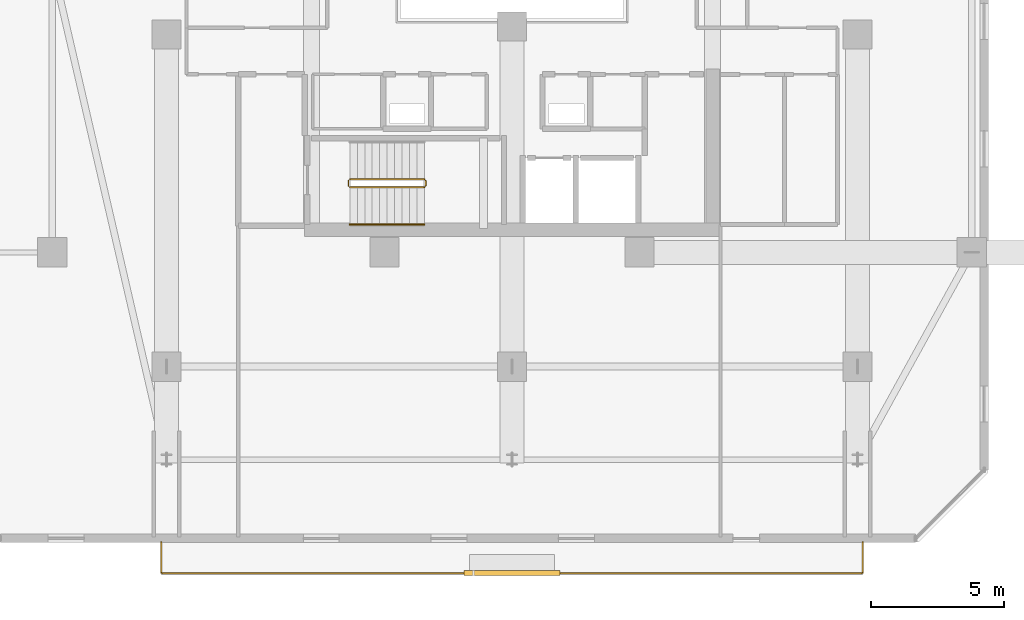
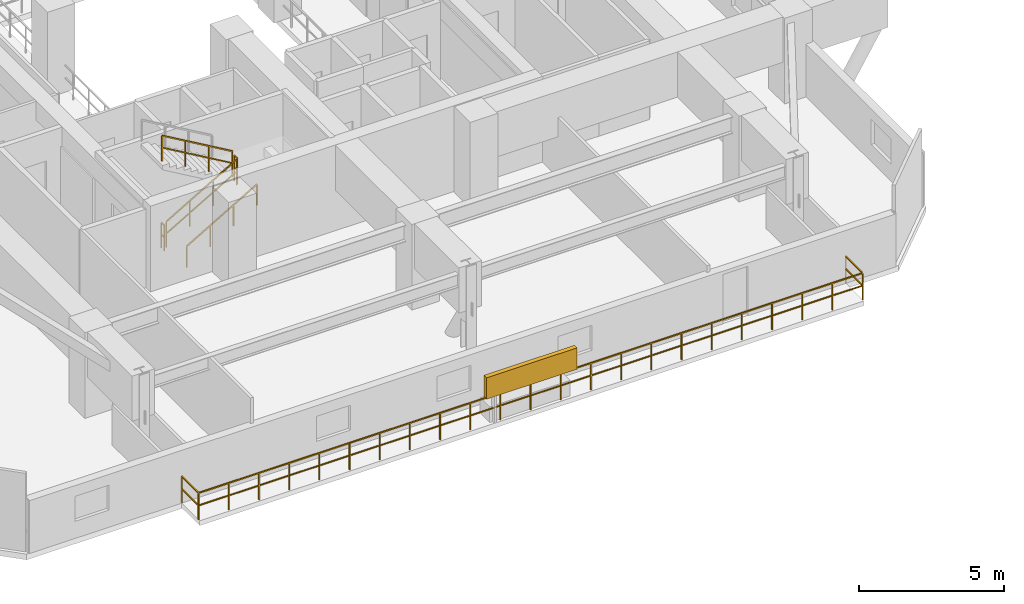
# One storey, part 31 of 35: 6 railings, 1 shading device.
"""IFC4 building model written with IfcOpenShell, lengths in metres."""

from ifc_helpers import new_model, si_unit, direction, frame, origin, origin_2d, place, context, subcontext, project, spatial, rectangle, extrude, material, type_object, element, save


model = new_model("IFC4")

# Units and contexts
model_context = context("Model", 3, precision=1e-05, world=origin(), true_north=direction((0.0, 1.0)))
body_context = subcontext(model_context, "Body", "Model", "MODEL_VIEW")
ifc_project = project(units=[si_unit("LENGTHUNIT", "METRE"), si_unit("AREAUNIT", "SQUARE_METRE"), si_unit("VOLUMEUNIT", "CUBIC_METRE"), si_unit("PLANEANGLEUNIT", "RADIAN"), si_unit("MASSUNIT", "GRAM", prefix="KILO")], contexts=[model_context])

# Site, building, storey
site_placement = place(None, origin())
site = spatial("IfcSite", under=ifc_project, at=site_placement, CompositionType="ELEMENT")
building_placement = place(site_placement, origin())
building = spatial("IfcBuilding", under=site, at=building_placement, Name="Thornwick Lancets Civic Towers", CompositionType="ELEMENT")
storey_placement = place(building_placement, frame((0.0, 0.0, 145.5)))
storey = spatial("IfcBuildingStorey", under=building, at=storey_placement, Name="L38", CompositionType="ELEMENT", Elevation=145.5)

# Railings
ifc_material_1 = material(Name="Brushed stainless steel S355", Category="steel")
railing_type_1 = type_object("IfcRailingType", Name="RAIL_HANDRAIL", PredefinedType="HANDRAIL", material=ifc_material_1)
railing_1_placement = place(storey_placement, frame((19.39990234375, 15.050048828125, 0.16357421875)))
element("IfcRailing", 1, at=railing_1_placement, inside=storey, type_object=railing_type_1, Name="L38 ST-A1 stair handrail 1", PredefinedType="HANDRAIL", context=body_context, shape_type="SweptSolid", body=[
    extrude(rectangle(XDim=0.048095703125, YDim=0.048095703125, at=origin_2d()), frame((0.0, 0.0, 0.8857421875), z_axis=(0.863360870873, 0.0, 0.504586966384), x_axis=(0.0, 1.0, 0.0)), (0.0, 0.0, 1.0), 3.2431640625),
    extrude(rectangle(XDim=0.0419921875, YDim=0.0419921875, at=origin_2d()), origin(), (0.0, 0.0, 1.0), 0.855712890625),
    extrude(rectangle(XDim=0.0419921875, YDim=0.0419921875, at=origin_2d()), frame((0.933349609375, 0.0, 0.54541015625)), (0.0, 0.0, 1.0), 0.855712890625),
    extrude(rectangle(XDim=0.0419921875, YDim=0.0419921875, at=origin_2d()), frame((1.86669921875, 0.0, 1.091064453125)), (0.0, 0.0, 1.0), 0.855712890625),
    extrude(rectangle(XDim=0.0419921875, YDim=0.0419921875, at=origin_2d()), frame((2.800048828125, 0.0, 1.636474609375)), (0.0, 0.0, 1.0), 0.855712890625),
])
ifc_material_2 = material(Name="Steel S355JR", Category="steel")
railing_type_2 = type_object("IfcRailingType", Name="RAIL_STAIR_GUARD", PredefinedType="GUARDRAIL", material=ifc_material_2)
railing_2_placement = place(storey_placement, frame((19.39990234375, 16.449951171875, 0.16357421875)))
element("IfcRailing", 2, at=railing_2_placement, inside=storey, type_object=railing_type_2, Name="L38 ST-A1 stair guard 1", PredefinedType="GUARDRAIL", context=body_context, shape_type="SweptSolid", body=[
    extrude(rectangle(XDim=0.048095703125, YDim=0.048095703125, at=origin_2d()), frame((0.0, 0.0, 1.076171875), z_axis=(0.863360870873, 0.0, 0.504586966384), x_axis=(0.0, 1.0, 0.0)), (0.0, 0.0, 1.0), 3.2431640625),
    extrude(rectangle(XDim=0.0419921875, YDim=0.0419921875, at=origin_2d()), frame((0.032470703125, 0.0, 0.591064453125), z_axis=(0.863360870873, 0.0, 0.504586966384), x_axis=(0.0, 1.0, 0.0)), (0.0, 0.0, 1.0), 1.006103515625),
    extrude(rectangle(XDim=0.0419921875, YDim=0.0419921875, at=origin_2d()), frame((0.9658203125, 0.0, 1.136474609375), z_axis=(0.863360870873, 0.0, 0.504586966384), x_axis=(0.0, 1.0, 0.0)), (0.0, 0.0, 1.0), 1.006103515625),
    extrude(rectangle(XDim=0.0419921875, YDim=0.0419921875, at=origin_2d()), frame((1.899169921875, 0.0, 1.681884765625), z_axis=(0.863360870873, 0.0, 0.504586966384), x_axis=(0.0, 1.0, 0.0)), (0.0, 0.0, 1.0), 1.006103515625),
    extrude(rectangle(XDim=0.0419921875, YDim=0.0419921875, at=origin_2d()), origin(), (0.0, 0.0, 1.0), 1.0458984375),
    extrude(rectangle(XDim=0.0419921875, YDim=0.0419921875, at=origin_2d()), frame((0.933349609375, 0.0, 0.54541015625)), (0.0, 0.0, 1.0), 1.0458984375),
    extrude(rectangle(XDim=0.0419921875, YDim=0.0419921875, at=origin_2d()), frame((1.86669921875, 0.0, 1.091064453125)), (0.0, 0.0, 1.0), 1.0458984375),
    extrude(rectangle(XDim=0.0419921875, YDim=0.0419921875, at=origin_2d()), frame((2.800048828125, 0.0, 1.636474609375)), (0.0, 0.0, 1.0), 1.0458984375),
])
railing_3_placement = place(storey_placement, frame((22.25, 16.5, 1.800048828125)))
element("IfcRailing", 3, at=railing_3_placement, inside=storey, type_object=railing_type_2, Name="L38 ST-A1 stair guard 2", PredefinedType="GUARDRAIL", context=body_context, shape_type="SweptSolid", body=[
    extrude(rectangle(XDim=0.048095703125, YDim=0.048095703125, at=origin_2d()), frame((0.0, 0.0, 1.076171875), z_axis=(0.0, 1.0, 0.0), x_axis=(-1.0, 0.0, 0.0)), (0.0, 0.0, 1.0), 0.199951171875),
    extrude(rectangle(XDim=0.0419921875, YDim=0.0419921875, at=origin_2d()), frame((0.0, 0.03759765625, 0.572021484375), z_axis=(0.0, 1.0, 0.0), x_axis=(-1.0, 0.0, 0.0)), (0.0, 0.0, 1.0), 0.125),
    extrude(rectangle(XDim=0.0419921875, YDim=0.0419921875, at=origin_2d()), origin(), (0.0, 0.0, 1.0), 1.0458984375),
    extrude(rectangle(XDim=0.0419921875, YDim=0.0419921875, at=origin_2d()), frame((0.0, 0.199951171875, 0.0)), (0.0, 0.0, 1.0), 1.0458984375),
])
railing_4_placement = place(storey_placement, frame((22.199951171875, 16.75, 1.963623046875)))
element("IfcRailing", 4, at=railing_4_placement, inside=storey, type_object=railing_type_2, Name="L38 ST-A1 stair guard 3", PredefinedType="GUARDRAIL", context=body_context, shape_type="SweptSolid", body=[
    extrude(rectangle(XDim=0.048095703125, YDim=0.048095703125, at=origin_2d()), frame((0.0, 0.0, 1.076171875), z_axis=(-0.863360870873, 0.0, 0.504586966384), x_axis=(0.0, -1.0, 0.0)), (0.0, 0.0, 1.0), 3.2431640625),
    extrude(rectangle(XDim=0.0419921875, YDim=0.0419921875, at=origin_2d()), frame((-0.032470703125, 0.0, 0.591064453125), z_axis=(-0.863360870873, 0.0, 0.504586966384), x_axis=(0.0, -1.0, 0.0)), (0.0, 0.0, 1.0), 1.006103515625),
    extrude(rectangle(XDim=0.0419921875, YDim=0.0419921875, at=origin_2d()), frame((-0.9658203125, 0.0, 1.136474609375), z_axis=(-0.863360870873, 0.0, 0.504586966384), x_axis=(0.0, -1.0, 0.0)), (0.0, 0.0, 1.0), 1.006103515625),
    extrude(rectangle(XDim=0.0419921875, YDim=0.0419921875, at=origin_2d()), frame((-1.899169921875, 0.0, 1.681884765625), z_axis=(-0.863360870873, 0.0, 0.504586966384), x_axis=(0.0, -1.0, 0.0)), (0.0, 0.0, 1.0), 1.006103515625),
    extrude(rectangle(XDim=0.0419921875, YDim=0.0419921875, at=origin_2d()), origin(), (0.0, 0.0, 1.0), 1.0458984375),
    extrude(rectangle(XDim=0.0419921875, YDim=0.0419921875, at=origin_2d()), frame((-0.933349609375, 0.0, 0.54541015625)), (0.0, 0.0, 1.0), 1.0458984375),
    extrude(rectangle(XDim=0.0419921875, YDim=0.0419921875, at=origin_2d()), frame((-1.86669921875, 0.0, 1.091064453125)), (0.0, 0.0, 1.0), 1.0458984375),
    extrude(rectangle(XDim=0.0419921875, YDim=0.0419921875, at=origin_2d()), frame((-2.800048828125, 0.0, 1.636474609375)), (0.0, 0.0, 1.0), 1.0458984375),
])
railing_5_placement = place(storey_placement, frame((19.35009765625, 16.5, 0.0)))
element("IfcRailing", 5, at=railing_5_placement, inside=storey, type_object=railing_type_2, Name="L38 ST-A1 stair guard 4", PredefinedType="GUARDRAIL", context=body_context, shape_type="SweptSolid", body=[
    extrude(rectangle(XDim=0.048095703125, YDim=0.048095703125, at=origin_2d()), frame((0.0, 0.0, 1.076171875), z_axis=(0.0, 1.0, 0.0), x_axis=(-1.0, 0.0, 0.0)), (0.0, 0.0, 1.0), 0.199951171875),
    extrude(rectangle(XDim=0.0419921875, YDim=0.0419921875, at=origin_2d()), frame((0.0, 0.03759765625, 0.572021484375), z_axis=(0.0, 1.0, 0.0), x_axis=(-1.0, 0.0, 0.0)), (0.0, 0.0, 1.0), 0.125),
    extrude(rectangle(XDim=0.0419921875, YDim=0.0419921875, at=origin_2d()), origin(), (0.0, 0.0, 1.0), 1.0458984375),
    extrude(rectangle(XDim=0.0419921875, YDim=0.0419921875, at=origin_2d()), frame((0.0, 0.199951171875, 0.0)), (0.0, 0.0, 1.0), 1.0458984375),
])
ifc_material_3 = material(Name="Terracotta-capped laminated glass balustrade S355", Category="masonry")
railing_type_3 = type_object("IfcRailingType", Name="RAIL_TERR_GUARD", PredefinedType="GUARDRAIL", material=ifc_material_3)
railing_6_placement = place(storey_placement, frame((12.300048828125, 3.10009765625, 0.0)))
element("IfcRailing", 6, at=railing_6_placement, inside=storey, type_object=railing_type_3, Name="L38 Tower A Balcony Guard S", PredefinedType="GUARDRAIL", context=body_context, shape_type="SweptSolid", body=[
    extrude(rectangle(XDim=0.048095703125, YDim=0.048095703125, at=origin_2d()), frame((0.0, 0.0, 1.1259765625), z_axis=(0.0, -1.0, 0.0), x_axis=(1.0, 0.0, 0.0)), (0.0, 0.0, 1.0), 1.138916015625),
    extrude(rectangle(XDim=0.0419921875, YDim=0.0419921875, at=origin_2d()), frame((0.0, -0.03759765625, 0.597900390625), z_axis=(0.0, -1.0, 0.0), x_axis=(1.0, 0.0, 0.0)), (0.0, 0.0, 1.0), 1.09521484375),
    extrude(rectangle(XDim=0.048095703125, YDim=0.048095703125, at=origin_2d()), frame((0.03125, -1.170166015625, 1.1259765625), z_axis=(1.0, 0.0, 0.0), x_axis=(0.0, 1.0, 0.0)), (0.0, 0.0, 1.0), 26.33740234375),
    extrude(rectangle(XDim=0.0419921875, YDim=0.0419921875, at=origin_2d()), frame((0.03759765625, -1.170166015625, 0.597900390625), z_axis=(1.0, 0.0, 0.0), x_axis=(0.0, 1.0, 0.0)), (0.0, 0.0, 1.0), 1.125),
    extrude(rectangle(XDim=0.0419921875, YDim=0.0419921875, at=origin_2d()), frame((1.237548828125, -1.170166015625, 0.597900390625), z_axis=(1.0, 0.0, 0.0), x_axis=(0.0, 1.0, 0.0)), (0.0, 0.0, 1.0), 1.125),
    extrude(rectangle(XDim=0.0419921875, YDim=0.0419921875, at=origin_2d()), frame((2.4375, -1.170166015625, 0.597900390625), z_axis=(1.0, 0.0, 0.0), x_axis=(0.0, 1.0, 0.0)), (0.0, 0.0, 1.0), 1.125),
    extrude(rectangle(XDim=0.0419921875, YDim=0.0419921875, at=origin_2d()), frame((3.637451171875, -1.170166015625, 0.597900390625), z_axis=(1.0, 0.0, 0.0), x_axis=(0.0, 1.0, 0.0)), (0.0, 0.0, 1.0), 1.125),
    extrude(rectangle(XDim=0.0419921875, YDim=0.0419921875, at=origin_2d()), frame((4.83740234375, -1.170166015625, 0.597900390625), z_axis=(1.0, 0.0, 0.0), x_axis=(0.0, 1.0, 0.0)), (0.0, 0.0, 1.0), 1.125),
    extrude(rectangle(XDim=0.0419921875, YDim=0.0419921875, at=origin_2d()), frame((6.037353515625, -1.170166015625, 0.597900390625), z_axis=(1.0, 0.0, 0.0), x_axis=(0.0, 1.0, 0.0)), (0.0, 0.0, 1.0), 1.125),
    extrude(rectangle(XDim=0.0419921875, YDim=0.0419921875, at=origin_2d()), frame((7.237548828125, -1.170166015625, 0.597900390625), z_axis=(1.0, 0.0, 0.0), x_axis=(0.0, 1.0, 0.0)), (0.0, 0.0, 1.0), 1.125),
    extrude(rectangle(XDim=0.0419921875, YDim=0.0419921875, at=origin_2d()), frame((8.4375, -1.170166015625, 0.597900390625), z_axis=(1.0, 0.0, 0.0), x_axis=(0.0, 1.0, 0.0)), (0.0, 0.0, 1.0), 1.125),
    extrude(rectangle(XDim=0.0419921875, YDim=0.0419921875, at=origin_2d()), frame((9.637451171875, -1.170166015625, 0.597900390625), z_axis=(1.0, 0.0, 0.0), x_axis=(0.0, 1.0, 0.0)), (0.0, 0.0, 1.0), 1.125),
    extrude(rectangle(XDim=0.0419921875, YDim=0.0419921875, at=origin_2d()), frame((10.83740234375, -1.170166015625, 0.597900390625), z_axis=(1.0, 0.0, 0.0), x_axis=(0.0, 1.0, 0.0)), (0.0, 0.0, 1.0), 1.125),
    extrude(rectangle(XDim=0.0419921875, YDim=0.0419921875, at=origin_2d()), frame((12.037353515625, -1.170166015625, 0.597900390625), z_axis=(1.0, 0.0, 0.0), x_axis=(0.0, 1.0, 0.0)), (0.0, 0.0, 1.0), 1.125),
    extrude(rectangle(XDim=0.0419921875, YDim=0.0419921875, at=origin_2d()), frame((13.237548828125, -1.170166015625, 0.597900390625), z_axis=(1.0, 0.0, 0.0), x_axis=(0.0, 1.0, 0.0)), (0.0, 0.0, 1.0), 1.125),
    extrude(rectangle(XDim=0.0419921875, YDim=0.0419921875, at=origin_2d()), frame((14.4375, -1.170166015625, 0.597900390625), z_axis=(1.0, 0.0, 0.0), x_axis=(0.0, 1.0, 0.0)), (0.0, 0.0, 1.0), 1.125),
    extrude(rectangle(XDim=0.0419921875, YDim=0.0419921875, at=origin_2d()), frame((15.637451171875, -1.170166015625, 0.597900390625), z_axis=(1.0, 0.0, 0.0), x_axis=(0.0, 1.0, 0.0)), (0.0, 0.0, 1.0), 1.125),
    extrude(rectangle(XDim=0.0419921875, YDim=0.0419921875, at=origin_2d()), frame((16.83740234375, -1.170166015625, 0.597900390625), z_axis=(1.0, 0.0, 0.0), x_axis=(0.0, 1.0, 0.0)), (0.0, 0.0, 1.0), 1.125),
    extrude(rectangle(XDim=0.0419921875, YDim=0.0419921875, at=origin_2d()), frame((18.037353515625, -1.170166015625, 0.597900390625), z_axis=(1.0, 0.0, 0.0), x_axis=(0.0, 1.0, 0.0)), (0.0, 0.0, 1.0), 1.125),
    extrude(rectangle(XDim=0.0419921875, YDim=0.0419921875, at=origin_2d()), frame((19.2373046875, -1.170166015625, 0.597900390625), z_axis=(1.0, 0.0, 0.0), x_axis=(0.0, 1.0, 0.0)), (0.0, 0.0, 1.0), 1.125),
    extrude(rectangle(XDim=0.0419921875, YDim=0.0419921875, at=origin_2d()), frame((20.4375, -1.170166015625, 0.597900390625), z_axis=(1.0, 0.0, 0.0), x_axis=(0.0, 1.0, 0.0)), (0.0, 0.0, 1.0), 1.125),
    extrude(rectangle(XDim=0.0419921875, YDim=0.0419921875, at=origin_2d()), frame((21.637451171875, -1.170166015625, 0.597900390625), z_axis=(1.0, 0.0, 0.0), x_axis=(0.0, 1.0, 0.0)), (0.0, 0.0, 1.0), 1.125),
    extrude(rectangle(XDim=0.0419921875, YDim=0.0419921875, at=origin_2d()), frame((22.83740234375, -1.170166015625, 0.597900390625), z_axis=(1.0, 0.0, 0.0), x_axis=(0.0, 1.0, 0.0)), (0.0, 0.0, 1.0), 1.125),
    extrude(rectangle(XDim=0.0419921875, YDim=0.0419921875, at=origin_2d()), frame((24.037353515625, -1.170166015625, 0.597900390625), z_axis=(1.0, 0.0, 0.0), x_axis=(0.0, 1.0, 0.0)), (0.0, 0.0, 1.0), 1.125),
    extrude(rectangle(XDim=0.0419921875, YDim=0.0419921875, at=origin_2d()), frame((25.2373046875, -1.170166015625, 0.597900390625), z_axis=(1.0, 0.0, 0.0), x_axis=(0.0, 1.0, 0.0)), (0.0, 0.0, 1.0), 1.125),
    extrude(rectangle(XDim=0.048095703125, YDim=0.048095703125, at=origin_2d()), frame((26.39990234375, -1.138916015625, 1.1259765625), z_axis=(0.0, 1.0, 0.0), x_axis=(-1.0, 0.0, 0.0)), (0.0, 0.0, 1.0), 1.138916015625),
    extrude(rectangle(XDim=0.0419921875, YDim=0.0419921875, at=origin_2d()), frame((26.39990234375, -1.132568359375, 0.597900390625), z_axis=(0.0, 1.0, 0.0), x_axis=(-1.0, 0.0, 0.0)), (0.0, 0.0, 1.0), 1.09521484375),
    extrude(rectangle(XDim=0.0419921875, YDim=0.0419921875, at=origin_2d()), origin(), (0.0, 0.0, 1.0), 1.095703125),
    extrude(rectangle(XDim=0.0419921875, YDim=0.0419921875, at=origin_2d()), frame((0.0, -1.170166015625, 0.0)), (0.0, 0.0, 1.0), 1.095703125),
    extrude(rectangle(XDim=0.0419921875, YDim=0.0419921875, at=origin_2d()), frame((1.199951171875, -1.170166015625, 0.0)), (0.0, 0.0, 1.0), 1.095703125),
    extrude(rectangle(XDim=0.0419921875, YDim=0.0419921875, at=origin_2d()), frame((2.39990234375, -1.170166015625, 0.0)), (0.0, 0.0, 1.0), 1.095703125),
    extrude(rectangle(XDim=0.0419921875, YDim=0.0419921875, at=origin_2d()), frame((3.60009765625, -1.170166015625, 0.0)), (0.0, 0.0, 1.0), 1.095703125),
    extrude(rectangle(XDim=0.0419921875, YDim=0.0419921875, at=origin_2d()), frame((4.800048828125, -1.170166015625, 0.0)), (0.0, 0.0, 1.0), 1.095703125),
    extrude(rectangle(XDim=0.0419921875, YDim=0.0419921875, at=origin_2d()), frame((6.0, -1.170166015625, 0.0)), (0.0, 0.0, 1.0), 1.095703125),
    extrude(rectangle(XDim=0.0419921875, YDim=0.0419921875, at=origin_2d()), frame((7.199951171875, -1.170166015625, 0.0)), (0.0, 0.0, 1.0), 1.095703125),
    extrude(rectangle(XDim=0.0419921875, YDim=0.0419921875, at=origin_2d()), frame((8.39990234375, -1.170166015625, 0.0)), (0.0, 0.0, 1.0), 1.095703125),
    extrude(rectangle(XDim=0.0419921875, YDim=0.0419921875, at=origin_2d()), frame((9.599853515625, -1.170166015625, 0.0)), (0.0, 0.0, 1.0), 1.095703125),
    extrude(rectangle(XDim=0.0419921875, YDim=0.0419921875, at=origin_2d()), frame((10.800048828125, -1.170166015625, 0.0)), (0.0, 0.0, 1.0), 1.095703125),
    extrude(rectangle(XDim=0.0419921875, YDim=0.0419921875, at=origin_2d()), frame((12.0, -1.170166015625, 0.0)), (0.0, 0.0, 1.0), 1.095703125),
    extrude(rectangle(XDim=0.0419921875, YDim=0.0419921875, at=origin_2d()), frame((13.199951171875, -1.170166015625, 0.0)), (0.0, 0.0, 1.0), 1.095703125),
    extrude(rectangle(XDim=0.0419921875, YDim=0.0419921875, at=origin_2d()), frame((14.39990234375, -1.170166015625, 0.0)), (0.0, 0.0, 1.0), 1.095703125),
    extrude(rectangle(XDim=0.0419921875, YDim=0.0419921875, at=origin_2d()), frame((15.599853515625, -1.170166015625, 0.0)), (0.0, 0.0, 1.0), 1.095703125),
    extrude(rectangle(XDim=0.0419921875, YDim=0.0419921875, at=origin_2d()), frame((16.800048828125, -1.170166015625, 0.0)), (0.0, 0.0, 1.0), 1.095703125),
    extrude(rectangle(XDim=0.0419921875, YDim=0.0419921875, at=origin_2d()), frame((18.0, -1.170166015625, 0.0)), (0.0, 0.0, 1.0), 1.095703125),
    extrude(rectangle(XDim=0.0419921875, YDim=0.0419921875, at=origin_2d()), frame((19.199951171875, -1.170166015625, 0.0)), (0.0, 0.0, 1.0), 1.095703125),
    extrude(rectangle(XDim=0.0419921875, YDim=0.0419921875, at=origin_2d()), frame((20.39990234375, -1.170166015625, 0.0)), (0.0, 0.0, 1.0), 1.095703125),
    extrude(rectangle(XDim=0.0419921875, YDim=0.0419921875, at=origin_2d()), frame((21.599853515625, -1.170166015625, 0.0)), (0.0, 0.0, 1.0), 1.095703125),
    extrude(rectangle(XDim=0.0419921875, YDim=0.0419921875, at=origin_2d()), frame((22.7998046875, -1.170166015625, 0.0)), (0.0, 0.0, 1.0), 1.095703125),
    extrude(rectangle(XDim=0.0419921875, YDim=0.0419921875, at=origin_2d()), frame((24.0, -1.170166015625, 0.0)), (0.0, 0.0, 1.0), 1.095703125),
    extrude(rectangle(XDim=0.0419921875, YDim=0.0419921875, at=origin_2d()), frame((25.199951171875, -1.170166015625, 0.0)), (0.0, 0.0, 1.0), 1.095703125),
    extrude(rectangle(XDim=0.0419921875, YDim=0.0419921875, at=origin_2d()), frame((26.39990234375, -1.170166015625, 0.0)), (0.0, 0.0, 1.0), 1.095703125),
    extrude(rectangle(XDim=0.0419921875, YDim=0.0419921875, at=origin_2d()), frame((26.39990234375, 0.0, 0.0)), (0.0, 0.0, 1.0), 1.095703125),
])

# Shading device
ifc_material_4 = material(Name="Extruded terracotta baguette solar screen", Category="masonry")
shading_device_type = type_object("IfcShadingDeviceType", Name="SHADE_BAGUETTE", PredefinedType="JALOUSIE", material=ifc_material_4)
shading_device_placement = place(storey_placement, frame((25.5, 1.93994140625, 1.1201171875), z_axis=(0.0, 0.0, 1.0), x_axis=(1.0, 0.0, 0.0)))
element("IfcShadingDevice", 7, at=shading_device_placement, inside=storey, type_object=shading_device_type, Name="L38 Tower A Terracotta Baguette Screen S", PredefinedType="JALOUSIE", context=body_context, shape_type="SweptSolid", body=[
    extrude(rectangle(XDim=3.60009765625, YDim=0.179931640625, at=origin_2d()), origin(), (0.0, 0.0, 1.0), 0.89990234375),
])

save(model, "model.ifc")
